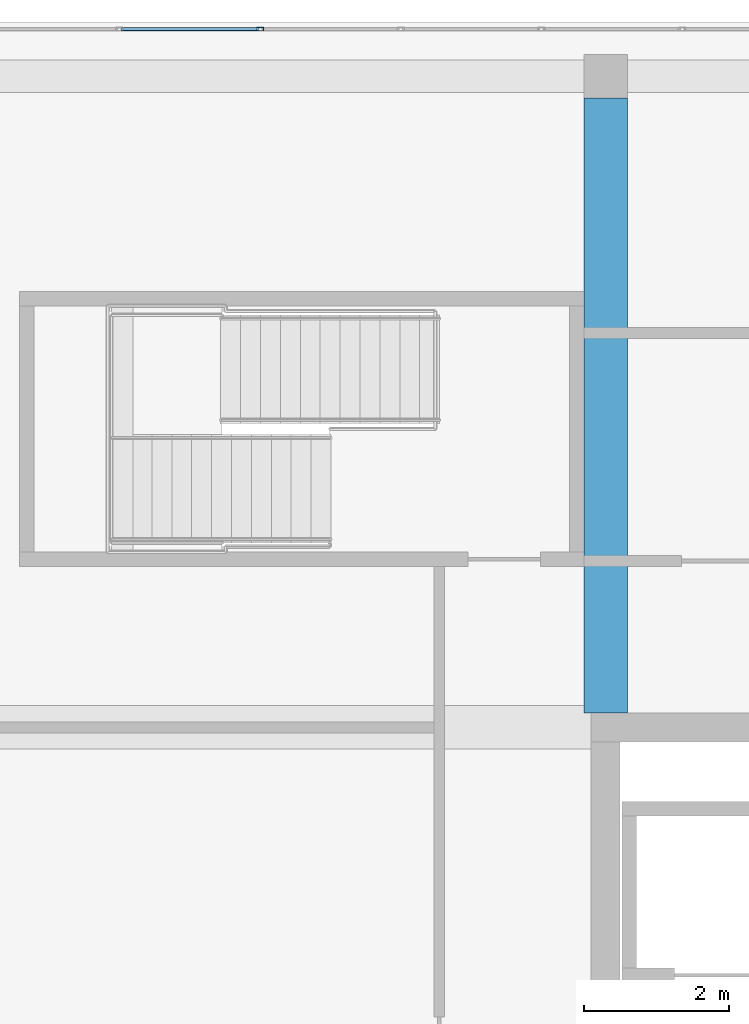
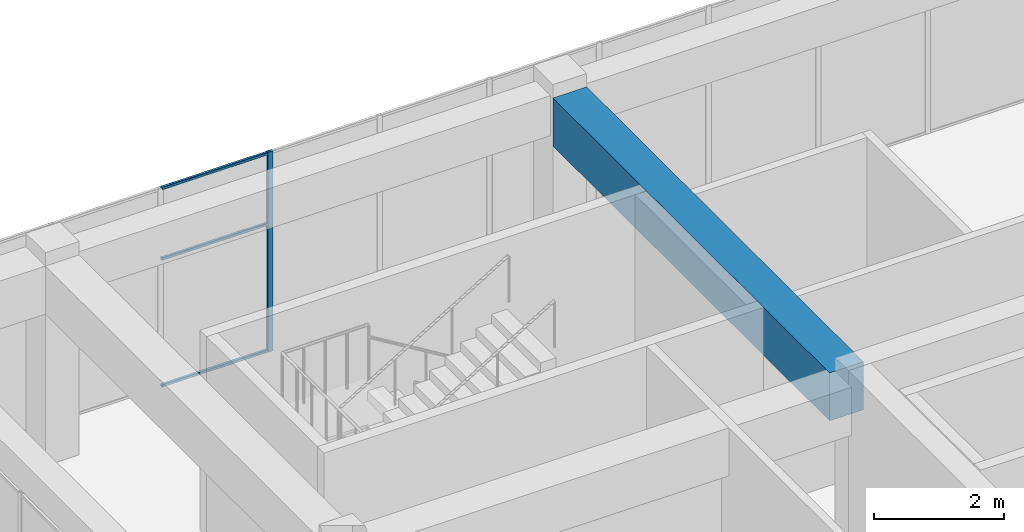
# One storey, part 22 of 35: 4 members, 1 beam, 1 element without a shape of its own.
"""IFC4 building model written with IfcOpenShell, lengths in metres."""

from ifc_helpers import new_model, si_unit, direction, frame, origin, origin_2d, place, context, subcontext, project, spatial, rectangle, hollow_rectangle, extrude, material, layer, layer_set, material_profile, profile_set, type_object, element, aggregate, save


model = new_model("IFC4")

# Units and contexts
model_context = context("Model", 3, precision=1e-05, world=origin(), true_north=direction((0.0, 1.0)))
body_context = subcontext(model_context, "Body", "Model", "MODEL_VIEW")
ifc_project = project(units=[si_unit("LENGTHUNIT", "METRE"), si_unit("AREAUNIT", "SQUARE_METRE"), si_unit("VOLUMEUNIT", "CUBIC_METRE"), si_unit("PLANEANGLEUNIT", "RADIAN"), si_unit("MASSUNIT", "GRAM", prefix="KILO")], contexts=[model_context])

# Site, building, storey
site_placement = place(None, origin())
site = spatial("IfcSite", under=ifc_project, at=site_placement, CompositionType="ELEMENT")
building_placement = place(site_placement, origin())
building = spatial("IfcBuilding", under=site, at=building_placement, Name="Tuart Plaza Theatre", CompositionType="ELEMENT")
storey_placement = place(building_placement, frame((0.0, 0.0, 45.5)))
storey = spatial("IfcBuildingStorey", under=building, at=storey_placement, Name="L11", CompositionType="ELEMENT", Elevation=45.5)

# Beam
ifc_material_1 = material(Name="Concrete N40 (40 MPa)", Category="concrete")
ifc_material_profile_1 = material_profile(ifc_material_1, rectangle(XDim=0.60009765625, YDim=0.89990234375, at=origin_2d()), Name="BEAM 600x900 Concrete N40 (40 MPa)")
ifc_profile_set_1 = profile_set([ifc_material_profile_1], Name="Concrete N40 (40 MPa)")
beam_type = type_object("IfcBeamType", Name="BEAM 600x900 Concrete N40 (40 MPa)", PredefinedType="BEAM", material=ifc_profile_set_1)
beam_placement = place(storey_placement, frame((123.0, 83.199951171875, 3.300048828125), z_axis=(0.0, 1.0, 0.0), x_axis=(-1.0, 0.0, 0.0)))
element("IfcBeam", 1, at=beam_placement, inside=storey, type_object=beam_type, Name="RB298", PredefinedType="BEAM", context=body_context, shape_type="SweptSolid", body=[
    extrude(rectangle(XDim=0.60009765625, YDim=0.89990234375, at=origin_2d()), origin(), (0.0, 0.0, 1.0), 8.5),
])

# Curtain wall, members
ifc_material_2 = material(Name="Aluminium and glass", Category="aluminium")
ifc_layer = layer(ifc_material_2, 0.10009765625)
ifc_layer_set = layer_set([ifc_layer], Name="CURTAIN WALL 2000 module")
curtain_wall_type = type_object("IfcCurtainWallType", Name="CURTAIN WALL 2000 module", PredefinedType="NOTDEFINED", material=ifc_layer_set)
curtain_wall_placement = place(storey_placement, origin())
curtain_wall = element("IfcCurtainWall", 2, at=curtain_wall_placement, inside=storey, type_object=curtain_wall_type, Name="CW105", PredefinedType="NOTDEFINED")
ifc_material_3 = material(Name="Aluminium 6063-T5", Category="aluminium")
ifc_material_profile_2 = material_profile(ifc_material_3, hollow_rectangle(XDim=0.050048828125, YDim=0.10009765625, WallThickness=0.00390625, InnerFilletRadius=0.00390625, OuterFilletRadius=0.008056640625, at=origin_2d()), Name="RHS 100x50x4")
ifc_profile_set_2 = profile_set([ifc_material_profile_2], Name="Aluminium 6063-T5")
member_type_1 = type_object("IfcMemberType", Name="MULLION RHS 100x50x4", PredefinedType="MULLION", material=ifc_profile_set_2)
member_1_placement = place(storey_placement, frame((118.22509765625, 92.64990234375, 0.0), z_axis=(0.0, 0.0, 1.0), x_axis=(0.0, -1.0, 0.0)))
member_1 = element("IfcMember", 3, at=member_1_placement, type_object=member_type_1, Name="CW105 mullion 13", PredefinedType="MULLION", context=body_context, shape_type="SweptSolid", body=[
    extrude(hollow_rectangle(XDim=0.050048828125, YDim=0.10009765625, WallThickness=0.00390625, InnerFilletRadius=0.00390625, OuterFilletRadius=0.008056640625, at=origin_2d()), origin(), (0.0, 0.0, 1.0), 3.75),
])
ifc_material_4 = material(Name="Aluminium 6063-T5", Category="aluminium")
ifc_material_profile_3 = material_profile(ifc_material_4, hollow_rectangle(XDim=0.050048828125, YDim=0.050048828125, WallThickness=0.00390625, InnerFilletRadius=0.00390625, OuterFilletRadius=0.008056640625, at=origin_2d()), Name="RHS 50x50x4")
ifc_profile_set_3 = profile_set([ifc_material_profile_3], Name="Aluminium 6063-T5")
member_type_2 = type_object("IfcMemberType", Name="TRANSOM RHS 50x50x4", PredefinedType="USERDEFINED", material=ifc_profile_set_3)
member_2_placement = place(storey_placement, frame((118.199951171875, 92.64990234375, 0.02490234375), z_axis=(-1.0, 0.0, 0.0), x_axis=(0.0, -1.0, 0.0)))
member_2 = element("IfcMember", 4, at=member_2_placement, type_object=member_type_2, Name="CW105 transom 13.1", ObjectType="TRANSOM", PredefinedType="USERDEFINED", context=body_context, shape_type="SweptSolid", body=[
    extrude(hollow_rectangle(XDim=0.050048828125, YDim=0.050048828125, WallThickness=0.00390625, InnerFilletRadius=0.00390625, OuterFilletRadius=0.008056640625, at=origin_2d()), origin(), (0.0, 0.0, 1.0), 1.893798828125),
])
member_3_placement = place(storey_placement, frame((118.199951171875, 92.64990234375, 2.39990234375), z_axis=(-1.0, 0.0, 0.0), x_axis=(0.0, -1.0, 0.0)))
member_3 = element("IfcMember", 5, at=member_3_placement, type_object=member_type_2, Name="CW105 transom 13.2", ObjectType="TRANSOM", PredefinedType="USERDEFINED", context=body_context, shape_type="SweptSolid", body=[
    extrude(hollow_rectangle(XDim=0.050048828125, YDim=0.050048828125, WallThickness=0.00390625, InnerFilletRadius=0.00390625, OuterFilletRadius=0.008056640625, at=origin_2d()), origin(), (0.0, 0.0, 1.0), 1.893798828125),
])
member_4_placement = place(storey_placement, frame((118.199951171875, 92.64990234375, 3.72509765625), z_axis=(-1.0, 0.0, 0.0), x_axis=(0.0, -1.0, 0.0)))
member_4 = element("IfcMember", 6, at=member_4_placement, type_object=member_type_2, Name="CW105 transom 13.3", ObjectType="TRANSOM", PredefinedType="USERDEFINED", context=body_context, shape_type="SweptSolid", body=[
    extrude(hollow_rectangle(XDim=0.050048828125, YDim=0.050048828125, WallThickness=0.00390625, InnerFilletRadius=0.00390625, OuterFilletRadius=0.008056640625, at=origin_2d()), origin(), (0.0, 0.0, 1.0), 1.893798828125),
])
aggregate(curtain_wall, [member_1, member_2, member_3, member_4])

save(model, "model.ifc")
